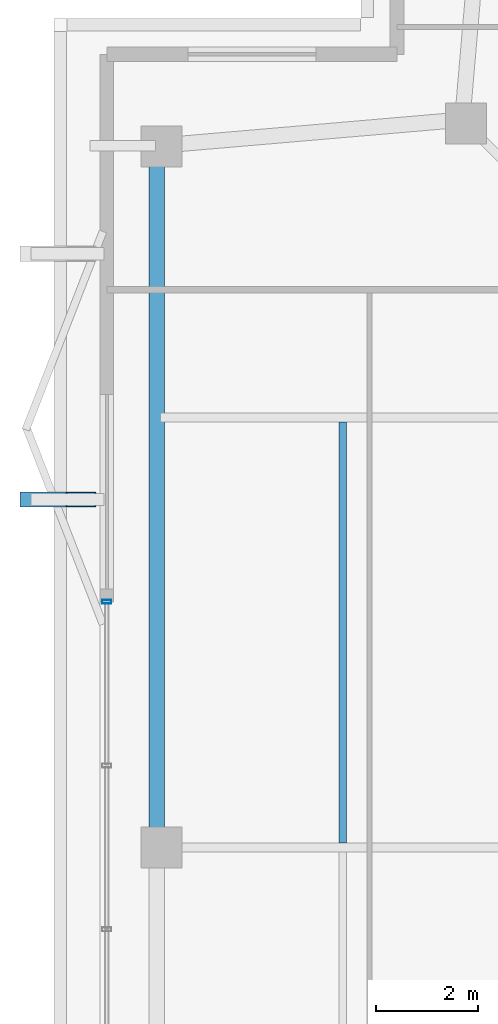
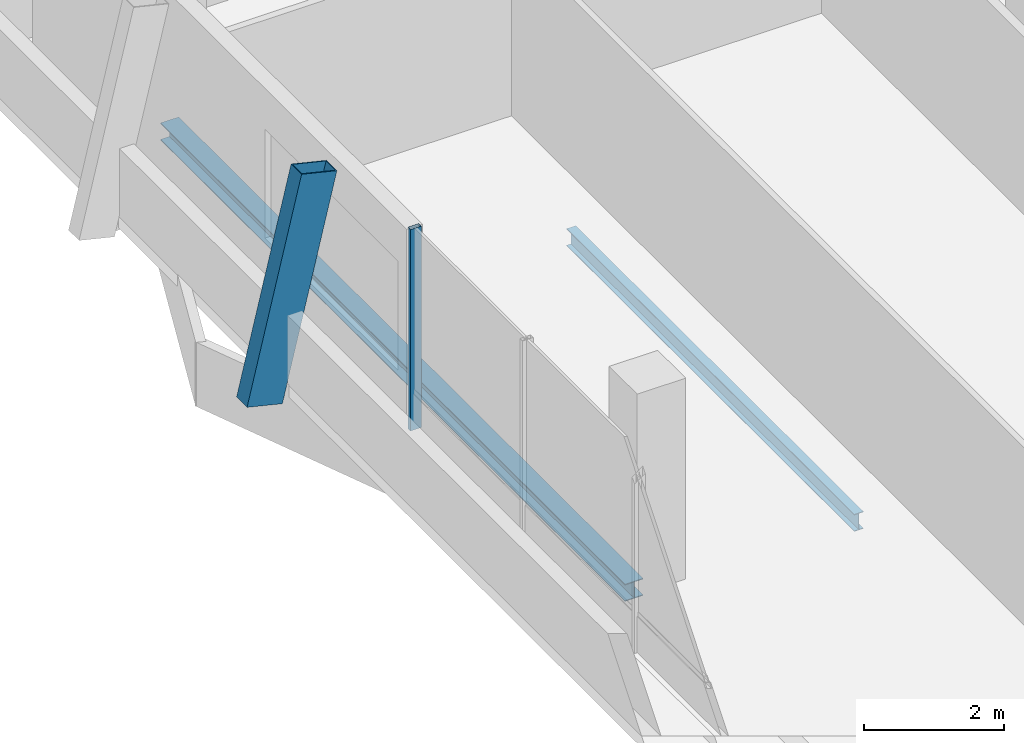
# One storey, part 7 of 18: 2 beams, 2 members, 1 element without a shape of its own.
"""IFC4 building model written with IfcOpenShell, lengths in metres."""

from ifc_helpers import new_model, si_unit, direction, frame, origin, origin_2d, place, context, subcontext, project, spatial, hollow_rectangle, i_section, extrude, material, layer, layer_set, material_profile, profile_set, type_object, element, aggregate, save


model = new_model("IFC4")

# Units and contexts
model_context = context("Model", 3, precision=1e-05, world=origin(), true_north=direction((0.0, 1.0)))
body_context = subcontext(model_context, "Body", "Model", "MODEL_VIEW")
ifc_project = project(units=[si_unit("LENGTHUNIT", "METRE"), si_unit("AREAUNIT", "SQUARE_METRE"), si_unit("VOLUMEUNIT", "CUBIC_METRE"), si_unit("PLANEANGLEUNIT", "RADIAN"), si_unit("MASSUNIT", "GRAM", prefix="KILO")], contexts=[model_context])

# Site, building, storey
site_placement = place(None, origin())
site = spatial("IfcSite", under=ifc_project, at=site_placement, CompositionType="ELEMENT")
building_placement = place(site_placement, origin())
building = spatial("IfcBuilding", under=site, at=building_placement, Name="Belovzor Exchange Tower", CompositionType="ELEMENT")
storey_placement = place(building_placement, frame((0.0, 0.0, 344.25)))
storey = spatial("IfcBuildingStorey", under=building, at=storey_placement, Name="L86", CompositionType="ELEMENT", Elevation=344.25)

# Beam
ifc_material_1 = material(Name="Steel S355", Category="steel")
ifc_material_profile_1 = material_profile(ifc_material_1, i_section(OverallWidth=0.14990234375, OverallDepth=0.300048828125, WebThickness=0.007080078125, FlangeThickness=0.0107421875, at=origin_2d()))
ifc_profile_set_1 = profile_set([ifc_material_profile_1], Name="Steel S355")
beam_type_1 = type_object("IfcBeamType", Name="Secondary Trim Floor Joist IPE 300", PredefinedType="BEAM", material=ifc_profile_set_1)
beam_1_placement = place(storey_placement, frame((12.239013671875, 28.889892578125, -0.389892578125), z_axis=(0.0, 1.0, 0.0), x_axis=(-1.0, 0.0, 0.0)))
element("IfcBeam", 1, at=beam_1_placement, inside=storey, type_object=beam_type_1, Name="FJ-300 Secondary Trim Floor Joist IPE 300", PredefinedType="BEAM", context=body_context, shape_type="SweptSolid", body=[
    extrude(i_section(OverallWidth=0.14990234375, OverallDepth=0.300048828125, WebThickness=0.007080078125, FlangeThickness=0.0107421875, at=origin_2d()), origin(), (0.0, 0.0, 1.0), 8.22021484375),
])

# Curtain wall, member
ifc_material_2 = material(Name="Anodised Aluminium Framing", Category="aluminium")
ifc_layer = layer(ifc_material_2, 0.179931640625)
ifc_layer_set = layer_set([ifc_layer], Name="Anodised Aluminium Framing")
curtain_wall_type = type_object("IfcCurtainWallType", Name="Recessed Loggia Low-Iron Triple-Glazed Curtain Wall", PredefinedType="NOTDEFINED", material=ifc_layer_set)
curtain_wall_placement = place(storey_placement, origin())
curtain_wall = element("IfcCurtainWall", 2, at=curtain_wall_placement, inside=storey, type_object=curtain_wall_type, Name="CW3 Recessed Loggia Low-Iron Triple-Glazed Curtain Wall L86", PredefinedType="NOTDEFINED")
ifc_material_3 = material(Name="Steel S355", Category="steel")
ifc_material_profile_2 = material_profile(ifc_material_3, hollow_rectangle(XDim=0.074951171875, YDim=0.179931640625, WallThickness=0.0048828125, at=origin_2d()))
ifc_profile_set_2 = profile_set([ifc_material_profile_2], Name="Steel S355")
member_type_1 = type_object("IfcMemberType", Name="Thermally Broken Curtain Wall Mullion 180x75", PredefinedType="MULLION", material=ifc_profile_set_2)
member_1_placement = place(storey_placement, frame((7.6298828125, 33.60009765625, 0.0), z_axis=(0.0, 0.0, 1.0), x_axis=(0.0, 1.0, 0.0)))
member_1 = element("IfcMember", 3, at=member_1_placement, type_object=member_type_1, Name="CW-M180 Curtain Wall Mullion 4", PredefinedType="MULLION", context=body_context, shape_type="SweptSolid", body=[
    extrude(hollow_rectangle(XDim=0.074951171875, YDim=0.179931640625, WallThickness=0.0048828125, at=origin_2d()), origin(), (0.0, 0.0, 1.0), 3.510009765625),
])
aggregate(curtain_wall, [member_1])

# Member
ifc_material_4 = material(Name="Extruded Architectural Terracotta on Steel S355 Carrier", Category="masonry")
ifc_material_profile_3 = material_profile(ifc_material_4, hollow_rectangle(XDim=0.300048828125, YDim=0.60009765625, WallThickness=0.01611328125, at=origin_2d()))
ifc_profile_set_3 = profile_set([ifc_material_profile_3], Name="Extruded Architectural Terracotta on Steel S355 Carrier")
member_type_2 = type_object("IfcMemberType", Name="Upper Crown Terracotta Fin Assembly 550", PredefinedType="USERDEFINED", material=ifc_profile_set_3)
member_2_placement = place(storey_placement, frame((6.22509765625, 35.60009765625, -0.239990234375), z_axis=(0.233349008819, 0.0, 0.972393048146), x_axis=(0.0, 1.0, 0.0)))
element("IfcMember", 4, at=member_2_placement, inside=storey, type_object=member_type_2, Name="FIN-TC055 Terracotta Facade Fin L86 W3", ObjectType="FIN", PredefinedType="USERDEFINED", context=body_context, shape_type="SweptSolid", body=[
    extrude(hollow_rectangle(XDim=0.300048828125, YDim=0.60009765625, WallThickness=0.01611328125, at=origin_2d()), origin(), (0.0, 0.0, 1.0), 3.8564453125),
])

# Beam
ifc_material_5 = material(Name="Steel S355", Category="steel")
ifc_material_profile_4 = material_profile(ifc_material_5, i_section(OverallWidth=0.300048828125, OverallDepth=0.300048828125, WebThickness=0.008544921875, FlangeThickness=0.013916015625, at=origin_2d()))
ifc_profile_set_4 = profile_set([ifc_material_profile_4], Name="Steel S355")
beam_type_2 = type_object("IfcBeamType", Name="Zone 6 Primary Girder HEA 300", PredefinedType="BEAM", material=ifc_profile_set_4)
beam_2_placement = place(storey_placement, frame((8.60595703125, 42.2900390625, -0.389892578125), z_axis=(0.0, -1.0, 0.0), x_axis=(1.0, 0.0, 0.0)))
element("IfcBeam", 5, at=beam_2_placement, inside=storey, type_object=beam_type_2, Name="FG-Z6 Zone 6 Primary Girder HEA 300", PredefinedType="BEAM", context=body_context, shape_type="SweptSolid", body=[
    extrude(i_section(OverallWidth=0.300048828125, OverallDepth=0.300048828125, WebThickness=0.008544921875, FlangeThickness=0.013916015625, at=origin_2d()), origin(), (0.0, 0.0, 1.0), 13.27001953125),
])

save(model, "model.ifc")
